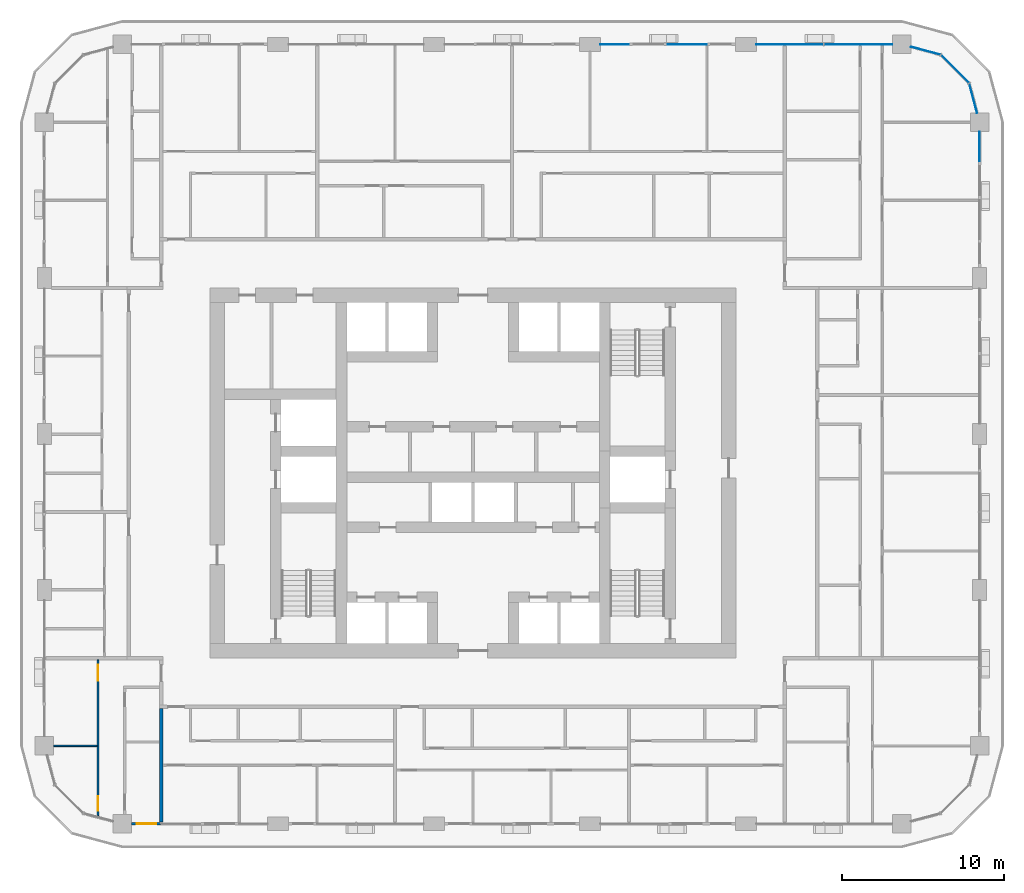
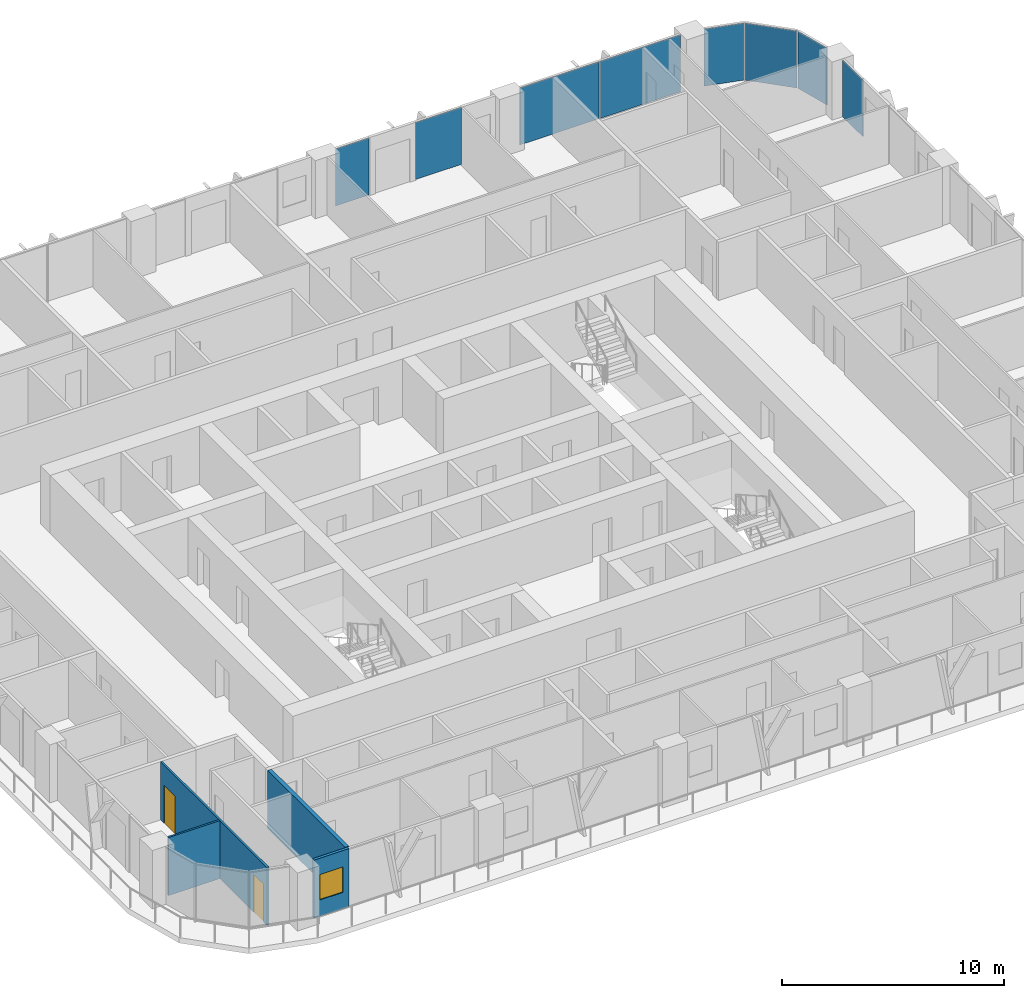
# One storey, part 8 of 22: 8 plates, 4 walls, 2 doors, 1 window, 3 openings, 4 elements without a shape of their own.
"""IFC4 building model written with IfcOpenShell, lengths in metres."""

from ifc_helpers import new_model, si_unit, direction, frame, frame_2d, origin, origin_2d, place, context, subcontext, project, spatial, rectangle, extrude, material, layer, layer_set, type_object, element, fill, aggregate, save


model = new_model("IFC4")

# Units and contexts
model_context = context("Model", 3, precision=1e-05, world=origin(), true_north=direction((0.0, 1.0)))
body_context = subcontext(model_context, "Body", "Model", "MODEL_VIEW")
ifc_project = project(units=[si_unit("LENGTHUNIT", "METRE"), si_unit("AREAUNIT", "SQUARE_METRE"), si_unit("VOLUMEUNIT", "CUBIC_METRE"), si_unit("PLANEANGLEUNIT", "RADIAN"), si_unit("MASSUNIT", "GRAM", prefix="KILO")], contexts=[model_context])

# Site, building, storey
site_placement = place(None, origin())
site = spatial("IfcSite", under=ifc_project, at=site_placement, CompositionType="ELEMENT")
building_placement = place(site_placement, origin())
building = spatial("IfcBuilding", under=site, at=building_placement, Name="Madar Terraces", CompositionType="ELEMENT")
storey_placement = place(building_placement, frame((0.0, 0.0, 103.199951171875)))
storey = spatial("IfcBuildingStorey", under=building, at=storey_placement, Name="L26", CompositionType="ELEMENT", Elevation=103.199951171875)

# Curtain wall, plate
ifc_material_1 = material(Name="Glass, ceramic frit dark grey, with black aluminium frame", Category="aluminium")
ifc_layer_1 = layer(ifc_material_1, 0.199951171875)
ifc_layer_set_1 = layer_set([ifc_layer_1], Name="Facade curtain wall, fritted glass")
curtain_wall_type = type_object("IfcCurtainWallType", Name="Facade curtain wall, fritted glass", PredefinedType="NOTDEFINED", material=ifc_layer_set_1)
curtain_wall_1_placement = place(storey_placement, origin())
curtain_wall_1 = element("IfcCurtainWall", 1, at=curtain_wall_1_placement, inside=storey, type_object=curtain_wall_type, Name="Outer skin curtain wall east bay 4", PredefinedType="NOTDEFINED")
ifc_material_2 = material(Name="Glass, ceramic frit dark grey", Category="glass")
ifc_layer_2 = layer(ifc_material_2, 0.028076171875)
ifc_layer_set_2 = layer_set([ifc_layer_2], Name="Facade glass panel 28")
plate_type = type_object("IfcPlateType", Name="Facade glass panel 28", PredefinedType="CURTAIN_PANEL", material=ifc_layer_set_2)
plate_1_placement = place(storey_placement, frame((62.39990234375, 46.512451171875, 0.0), z_axis=(0.0, 0.0, 1.0), x_axis=(0.0, 1.0, 0.0)))
plate_1 = element("IfcPlate", 2, at=plate_1_placement, type_object=plate_type, Name="Panel 2", PredefinedType="CURTAIN_PANEL", context=body_context, shape_type="SweptSolid", body=[
    extrude(rectangle(XDim=1.824951171875, YDim=0.028076171875, at=origin_2d()), origin(), (0.0, 0.0, 1.0), 3.139892578125),
])
aggregate(curtain_wall_1, [plate_1])

# Curtain wall, plates
curtain_wall_2_placement = place(storey_placement, origin())
curtain_wall_2 = element("IfcCurtainWall", 3, at=curtain_wall_2_placement, inside=storey, type_object=curtain_wall_type, Name="Outer skin curtain wall north bay 1", PredefinedType="NOTDEFINED")
plate_2_placement = place(storey_placement, frame((54.927490234375, 52.800048828125, 0.0), z_axis=(0.0, 0.0, 1.0), x_axis=(-1.0, 0.0, 0.0)))
plate_2 = element("IfcPlate", 4, at=plate_2_placement, type_object=plate_type, Name="Panel 1", PredefinedType="CURTAIN_PANEL", context=body_context, shape_type="SweptSolid", body=[
    extrude(rectangle(XDim=4.195068359375, YDim=0.028076171875, at=origin_2d()), origin(), (0.0, 0.0, 1.0), 3.139892578125),
])
plate_3_placement = place(storey_placement, frame((50.7099609375, 52.800048828125, 0.0), z_axis=(0.0, 0.0, 1.0), x_axis=(-1.0, 0.0, 0.0)))
plate_3 = element("IfcPlate", 5, at=plate_3_placement, type_object=plate_type, Name="Panel 2", PredefinedType="CURTAIN_PANEL", context=body_context, shape_type="SweptSolid", body=[
    extrude(rectangle(XDim=4.1201171875, YDim=0.028076171875, at=origin_2d()), origin(), (0.0, 0.0, 1.0), 3.139892578125),
])
aggregate(curtain_wall_2, [plate_2, plate_3])

curtain_wall_3_placement = place(storey_placement, origin())
curtain_wall_3 = element("IfcCurtainWall", 6, at=curtain_wall_3_placement, inside=storey, type_object=curtain_wall_type, Name="Outer skin curtain wall north bay 2", PredefinedType="NOTDEFINED")
plate_4_placement = place(storey_placement, frame((44.39990234375, 52.800048828125, 0.0), z_axis=(0.0, 0.0, 1.0), x_axis=(-1.0, 0.0, 0.0)))
plate_4 = element("IfcPlate", 7, at=plate_4_placement, type_object=plate_type, Name="Panel 1", PredefinedType="CURTAIN_PANEL", context=body_context, shape_type="SweptSolid", body=[
    extrude(rectangle(XDim=2.39990234375, YDim=0.028076171875, at=origin_2d()), origin(), (0.0, 0.0, 1.0), 3.139892578125),
])
plate_5_placement = place(storey_placement, frame((39.925048828125, 52.800048828125, 0.0), z_axis=(0.0, 0.0, 1.0), x_axis=(-1.0, 0.0, 0.0)))
plate_5 = element("IfcPlate", 8, at=plate_5_placement, type_object=plate_type, Name="Panel 2", PredefinedType="CURTAIN_PANEL", context=body_context, shape_type="SweptSolid", body=[
    extrude(rectangle(XDim=1.75, YDim=0.028076171875, at=origin_2d()), origin(), (0.0, 0.0, 1.0), 3.139892578125),
])
aggregate(curtain_wall_3, [plate_4, plate_5])

curtain_wall_4_placement = place(storey_placement, origin())
curtain_wall_4 = element("IfcCurtainWall", 9, at=curtain_wall_4_placement, inside=storey, type_object=curtain_wall_type, Name="Outer skin curtain wall north-east corner", PredefinedType="NOTDEFINED")
plate_6_placement = place(storey_placement, frame((62.00537109375, 49.472900390625, 0.0), z_axis=(0.0, 0.0, 1.0), x_axis=(-0.258819021888, 0.965925832509, 0.0)))
plate_6 = element("IfcPlate", 10, at=plate_6_placement, type_object=plate_type, Name="Panel 1", PredefinedType="CURTAIN_PANEL", context=body_context, shape_type="SweptSolid", body=[
    extrude(rectangle(XDim=1.859375, YDim=0.028076171875, at=origin_2d()), origin(), (0.0, 0.0, 1.0), 3.139892578125),
])
plate_7_placement = place(storey_placement, frame((60.87841796875, 51.278564453125, 0.0), z_axis=(0.0, 0.0, 1.0), x_axis=(-0.707106781187, 0.707106781187, 0.0)))
plate_7 = element("IfcPlate", 11, at=plate_7_placement, type_object=plate_type, Name="Panel 2", PredefinedType="CURTAIN_PANEL", context=body_context, shape_type="SweptSolid", body=[
    extrude(rectangle(XDim=2.424560546875, YDim=0.028076171875, at=origin_2d()), origin(), (0.0, 0.0, 1.0), 3.139892578125),
])
plate_8_placement = place(storey_placement, frame((59.072998046875, 52.4052734375, 0.0), z_axis=(0.0, 0.0, 1.0), x_axis=(-0.965925832509, 0.258819021888, 0.0)))
plate_8 = element("IfcPlate", 12, at=plate_8_placement, type_object=plate_type, Name="Panel 3", PredefinedType="CURTAIN_PANEL", context=body_context, shape_type="SweptSolid", body=[
    extrude(rectangle(XDim=1.859375, YDim=0.028076171875, at=origin_2d()), origin(), (0.0, 0.0, 1.0), 3.139892578125),
])
aggregate(curtain_wall_4, [plate_6, plate_7, plate_8])

# Wall, opening, window
ifc_material_3 = material(Name="Aluminium composite panel, black, over insulated backing", Category="aluminium")
ifc_layer_3 = layer(ifc_material_3, 0.14990234375)
ifc_layer_set_3 = layer_set([ifc_layer_3], Name="Facade bay panel 150")
wall_type_1 = type_object("IfcWallType", Name="Facade bay panel 150", PredefinedType="SOLIDWALL", material=ifc_layer_set_3)
wall_1_placement = place(storey_placement, frame((10.175048828125, 4.800048828125, 0.0), z_axis=(0.0, 0.0, 1.0), x_axis=(1.0, 0.0, 0.0)))
wall_1 = element("IfcWall", 13, at=wall_1_placement, inside=storey, type_object=wall_type_1, Name="Facade bay panel", PredefinedType="SOLIDWALL", context=body_context, shape_type="SweptSolid", body=[
    extrude(rectangle(XDim=1.824951171875, YDim=0.14990234375, at=frame_2d((0.91259765625, 0.0))), origin(), (0.0, 0.0, 1.0), 3.199951171875),
])
opening_1_placement = place(wall_1_placement, frame((0.3125, 0.0, 0.89990234375)))
opening_1 = element("IfcOpeningElement", 14, at=opening_1_placement, cuts=wall_1, Name="Opening W1", PredefinedType="OPENING", context=body_context, shape_type="SweptSolid", body=[
    extrude(rectangle(XDim=1.199951171875, YDim=1.39990234375, at=frame_2d((0.60009765625, 0.699951171875))), frame((0.0, 0.0849609375, 0.0), z_axis=(0.0, -1.0, 0.0), x_axis=(1.0, 0.0, 0.0)), (0.0, 0.0, 1.0), 0.169921875),
])
ifc_material_4 = material(Name="Glass, clear, with black aluminium frame", Category="aluminium")
window_type = type_object("IfcWindowType", Name="Vent window 1200 x 1400", PartitioningType="SINGLE_PANEL", PredefinedType="WINDOW", material=ifc_material_4)
window_placement = place(opening_1_placement, origin())
window = element("IfcWindow", 15, at=window_placement, inside=storey, type_object=window_type, Name="Operable vent window", OverallHeight=1.39990234375, OverallWidth=1.199951171875, PartitioningType="SINGLE_PANEL", PredefinedType="WINDOW", context=body_context, shape_type="SweptSolid", body=[
    extrude(rectangle(XDim=1.199951171875, YDim=1.39990234375, at=frame_2d((0.60009765625, 0.699951171875))), frame((0.0, 0.030029296875, 0.0), z_axis=(0.0, -1.0, 0.0), x_axis=(1.0, 0.0, 0.0)), (0.0, 0.0, 1.0), 0.06005859375),
])
fill(opening_1, window)

# Wall
ifc_material_5 = material(Name="Gypsum board on steel studs", Category="steel")
ifc_layer_4 = layer(ifc_material_5, 0.10009765625)
ifc_layer_set_4 = layer_set([ifc_layer_4], Name="Flat partition 100")
wall_type_2 = type_object("IfcWallType", Name="Flat partition 100", PredefinedType="PARTITIONING", material=ifc_layer_set_4)
wall_2_placement = place(storey_placement, frame((8.050048828125, 9.60009765625, 0.0), z_axis=(0.0, 0.0, 1.0), x_axis=(-1.0, 0.0, 0.0)))
element("IfcWall", 16, at=wall_2_placement, inside=storey, type_object=wall_type_2, Name="Flat partition 100", PredefinedType="PARTITIONING", context=body_context, shape_type="SweptSolid", body=[
    extrude(rectangle(XDim=2.675048828125, YDim=0.10009765625, at=frame_2d((1.33740234375, 0.0))), origin(), (0.0, 0.0, 1.0), 3.199951171875),
])

# Wall, openings, doors
wall_3_placement = place(storey_placement, frame((8.10009765625, 5.302001953125, 0.0), z_axis=(0.0, 0.0, 1.0), x_axis=(0.0, 1.0, 0.0)))
wall_3 = element("IfcWall", 17, at=wall_3_placement, inside=storey, type_object=wall_type_2, Name="Flat partition 100", PredefinedType="PARTITIONING", context=body_context, shape_type="SweptSolid", body=[
    extrude(rectangle(XDim=9.597900390625, YDim=0.10009765625, at=frame_2d((4.798828125, 0.0))), origin(), (0.0, 0.0, 1.0), 3.199951171875),
])
opening_2_placement = place(wall_3_placement, frame((8.298095703125, 0.0, 0.0)))
opening_2 = element("IfcOpeningElement", 18, at=opening_2_placement, cuts=wall_3, Name="Opening D3", PredefinedType="OPENING", context=body_context, shape_type="SweptSolid", body=[
    extrude(rectangle(XDim=1.0, YDim=2.10009765625, at=frame_2d((0.5, 1.050048828125))), frame((0.0, 0.06005859375, 0.0), z_axis=(0.0, -1.0, 0.0), x_axis=(1.0, 0.0, 0.0)), (0.0, 0.0, 1.0), 0.1201171875),
])
opening_3_placement = place(wall_3_placement, frame((0.300048828125, 0.0, 0.0)))
opening_3 = element("IfcOpeningElement", 19, at=opening_3_placement, cuts=wall_3, Name="Opening D2", PredefinedType="OPENING", context=body_context, shape_type="SweptSolid", body=[
    extrude(rectangle(XDim=0.89990234375, YDim=2.10009765625, at=frame_2d((0.449951171875, 1.050048828125))), frame((0.0, 0.06005859375, 0.0), z_axis=(0.0, -1.0, 0.0), x_axis=(1.0, 0.0, 0.0)), (0.0, 0.0, 1.0), 0.1201171875),
])
ifc_material_6 = material(Name="Timber door leaf", Category="wood")
door_type_1 = type_object("IfcDoorType", Name="Flat living room door 1000", OperationType="NOTDEFINED", PredefinedType="DOOR", material=ifc_material_6)
door_1_placement = place(opening_2_placement, origin())
door_1 = element("IfcDoor", 20, at=door_1_placement, inside=storey, type_object=door_type_1, Name="Flat living room door 1000", OperationType="SINGLE_SWING_RIGHT", OverallHeight=2.10009765625, OverallWidth=1.0, PredefinedType="DOOR", context=body_context, shape_type="SweptSolid", body=[
    extrude(rectangle(XDim=1.0, YDim=2.10009765625, at=frame_2d((0.5, 1.050048828125))), frame((0.0, 0.02490234375, 0.0), z_axis=(0.0, -1.0, 0.0), x_axis=(1.0, 0.0, 0.0)), (0.0, 0.0, 1.0), 0.050048828125),
])
fill(opening_2, door_1)
ifc_material_7 = material(Name="Timber door leaf", Category="wood")
door_type_2 = type_object("IfcDoorType", Name="Flat room door 900", OperationType="NOTDEFINED", PredefinedType="DOOR", material=ifc_material_7)
door_2_placement = place(opening_3_placement, origin())
door_2 = element("IfcDoor", 21, at=door_2_placement, inside=storey, type_object=door_type_2, Name="Flat room door 900", OperationType="SINGLE_SWING_LEFT", OverallHeight=2.10009765625, OverallWidth=0.89990234375, PredefinedType="DOOR", context=body_context, shape_type="SweptSolid", body=[
    extrude(rectangle(XDim=0.89990234375, YDim=2.10009765625, at=frame_2d((0.449951171875, 1.050048828125))), frame((0.0, 0.02490234375, 0.0), z_axis=(0.0, -1.0, 0.0), x_axis=(1.0, 0.0, 0.0)), (0.0, 0.0, 1.0), 0.050048828125),
])
fill(opening_3, door_2)

# Wall
ifc_material_8 = material(Name="Lightweight blockwork", Category="masonry")
ifc_layer_5 = layer(ifc_material_8, 0.199951171875)
ifc_layer_set_5 = layer_set([ifc_layer_5], Name="Flat party and entrance wall 200")
wall_type_3 = type_object("IfcWallType", Name="Flat party and entrance wall 200", PredefinedType="PARTITIONING", material=ifc_layer_set_5)
wall_4_placement = place(storey_placement, frame((12.0, 4.89990234375, 0.0), z_axis=(0.0, 0.0, 1.0), x_axis=(0.0, 1.0, 0.0)))
element("IfcWall", 22, at=wall_4_placement, inside=storey, type_object=wall_type_3, Name="Flat party and entrance wall 200", PredefinedType="PARTITIONING", context=body_context, shape_type="SweptSolid", body=[
    extrude(rectangle(XDim=7.0, YDim=0.199951171875, at=frame_2d((3.5, 0.0))), origin(), (0.0, 0.0, 1.0), 3.199951171875),
])

save(model, "model.ifc")
